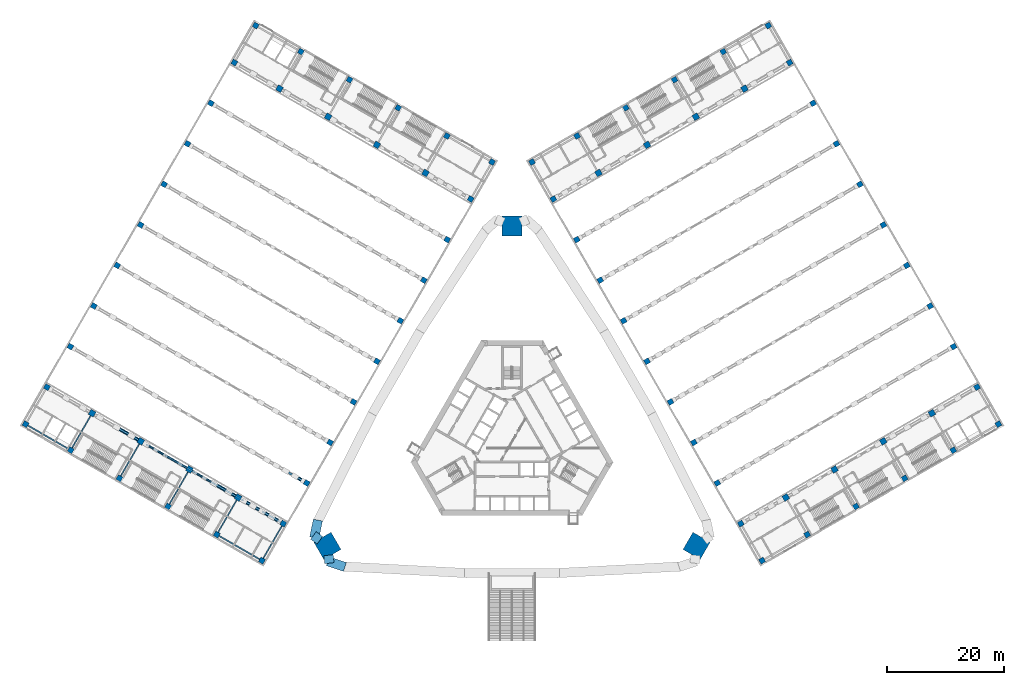
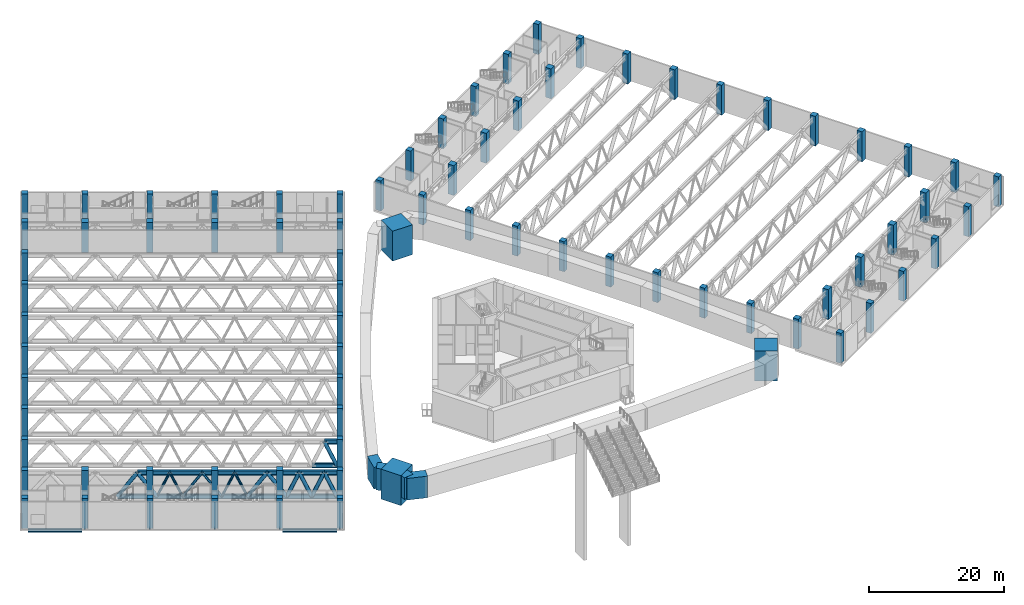
# One storey, part 1 of 37: 79 columns, 31 members, 11 beams.
"""IFC4 building model written with IfcOpenShell, lengths in metres."""

import ifcopenshell
import ifcopenshell.guid

model = None  # the IFC model being written
_history = None  # IfcOwnerHistory: only IFC2X3 demands one
_inside = {}  # id of a spatial element -> (the spatial element, [elements in it])
_under = {}  # id of a project, library or spatial element -> (it, [spatial elements below it])
_declared = {}  # id of a project -> (the project, [libraries it declares])
_typed = {}  # id of a type object -> (the type object, [elements of that type])
_made_of = {}  # id of a material, layer set ... -> (it, [elements and type objects made of it])


def new_model(schema):
    """Start an empty IFC model of exactly this schema.

    Asked for "IFC4X3", IfcOpenShell would pick the latest addendum, in which some entities
    have other attributes; the version numbers below select the first issue.
    IFC2X3 requires an IfcOwnerHistory on every rooted entity: one is made here for all.
    """
    global model, _history
    if schema == "IFC4X3":
        model = ifcopenshell.file(schema_version=(4, 3, 0, 0))
    else:
        model = ifcopenshell.file(schema=schema)
    _inside.clear()
    _under.clear()
    _declared.clear()
    _typed.clear()
    _made_of.clear()
    _history = None
    if model.schema == "IFC2X3":
        org = make("IfcOrganization", Name="unknown")
        user = make(
            "IfcPersonAndOrganization",
            ThePerson=make("IfcPerson", FamilyName="unknown"),
            TheOrganization=org,
        )
        app = make(
            "IfcApplication",
            ApplicationDeveloper=org,
            Version="unknown",
            ApplicationFullName="unknown",
            ApplicationIdentifier="unknown",
        )
        _history = make(
            "IfcOwnerHistory",
            OwningUser=user,
            OwningApplication=app,
            ChangeAction="ADDED",
            CreationDate=0,
        )
    return model


def make(cls, **values):
    """One entity of the class cls with the attributes given. An attribute that is None is left unset."""
    return model.create_entity(
        cls, **{name: value for name, value in values.items() if value is not None}
    )


def rooted(cls, **values):
    """An entity with a GlobalId (a new one), such as an element, a storey or a relation."""
    return make(cls, GlobalId=ifcopenshell.guid.new(), OwnerHistory=_history, **values)


def si_unit(unit_type, name, prefix=None):
    """IfcSIUnit, for example si_unit("LENGTHUNIT", "METRE", prefix="MILLI")."""
    return make("IfcSIUnit", UnitType=unit_type, Prefix=prefix, Name=name)


def assignment(units):
    """IfcUnitAssignment: the units of a project."""
    return None if units is None else make("IfcUnitAssignment", Units=units)


def point(xyz):
    """IfcCartesianPoint."""
    return None if xyz is None else make("IfcCartesianPoint", Coordinates=xyz)


def direction(xyz):
    """IfcDirection."""
    return None if xyz is None else make("IfcDirection", DirectionRatios=xyz)


def frame(location, z_axis=None, x_axis=None):
    """IfcAxis2Placement3D, a coordinate frame: its origin and axes. An axis left out is left unset."""
    return make(
        "IfcAxis2Placement3D",
        Location=point(location),
        Axis=direction(z_axis),
        RefDirection=direction(x_axis),
    )


def frame_2d(location, x_axis=None):
    """IfcAxis2Placement2D, a coordinate frame in the plane: its origin and x axis."""
    return make(
        "IfcAxis2Placement2D", Location=point(location), RefDirection=direction(x_axis)
    )


def origin():
    """The frame at (0, 0, 0) with its axes left unset."""
    return frame((0.0, 0.0, 0.0))


def origin_2d():
    """The frame at (0, 0) in the plane with its x axis left unset."""
    return frame_2d((0.0, 0.0))


def place(relative_to, where):
    """IfcLocalPlacement: puts the frame where relative to a parent placement (None: the world)."""
    return make(
        "IfcLocalPlacement", PlacementRelTo=relative_to, RelativePlacement=where
    )


def context(
    kind, dimensions, precision=None, world=None, true_north=None, identifier=None
):
    """IfcGeometricRepresentationContext, for example the 3D "Model" context."""
    return make(
        "IfcGeometricRepresentationContext",
        ContextIdentifier=identifier,
        ContextType=kind,
        CoordinateSpaceDimension=dimensions,
        Precision=precision,
        WorldCoordinateSystem=world,
        TrueNorth=true_north,
    )


def subcontext(parent, identifier, kind, view, scale=None):
    """IfcGeometricRepresentationSubContext, for example "Body" below "Model"."""
    return make(
        "IfcGeometricRepresentationSubContext",
        ContextIdentifier=identifier,
        ContextType=kind,
        ParentContext=parent,
        TargetScale=scale,
        TargetView=view,
    )


def project(units=None, contexts=None):
    """IfcProject with its units and contexts."""
    return rooted(
        "IfcProject",
        Name="project",
        RepresentationContexts=contexts,
        UnitsInContext=assignment(units),
    )


def spatial(cls, under=None, at=None, **own):
    """A site, building, storey or space (cls), placed at a placement, below another one or the project."""
    s = rooted(cls, ObjectPlacement=at, **own)
    if under is not None:
        _under.setdefault(under.id(), (under, []))[1].append(s)
    return s


def profile(cls, at=None, kind="AREA", **sizes):
    """A parametric profile (cls). Its sizes go by their IFC names, for example OverallWidth=200.0."""
    return make(cls, ProfileType=kind, Position=at, **sizes)


def rectangle(**sizes):
    """IfcRectangleProfileDef."""
    return profile("IfcRectangleProfileDef", **sizes)


def hollow_circle(**sizes):
    """IfcCircleHollowProfileDef."""
    return profile("IfcCircleHollowProfileDef", **sizes)


def i_section(**sizes):
    """IfcIShapeProfileDef."""
    return profile("IfcIShapeProfileDef", **sizes)


def extrude(swept, where, along, depth):
    """IfcExtrudedAreaSolid: the profile swept, set in the frame where, extruded along a direction by depth."""
    return make(
        "IfcExtrudedAreaSolid",
        SweptArea=swept,
        Position=where,
        ExtrudedDirection=direction(along),
        Depth=depth,
    )


def shape(context_of_items, identifier, shape_type, items):
    """IfcShapeRepresentation: the items that make up one representation, for example the "Body"."""
    return make(
        "IfcShapeRepresentation",
        ContextOfItems=context_of_items,
        RepresentationIdentifier=identifier,
        RepresentationType=shape_type,
        Items=items,
    )


def material(Name=None, Category=None):
    """IfcMaterial."""
    return make("IfcMaterial", Name=Name, Category=Category)


def material_profile(
    of_material, cross_section, Name=None, Category=None, Priority=None
):
    """IfcMaterialProfile: a cross section and its material."""
    return make(
        "IfcMaterialProfile",
        Name=Name,
        Material=of_material,
        Profile=cross_section,
        Priority=Priority,
        Category=Category,
    )


def profile_set(profiles, Name=None, composite=None):
    """IfcMaterialProfileSet."""
    return make(
        "IfcMaterialProfileSet",
        Name=Name,
        MaterialProfiles=profiles,
        CompositeProfile=composite,
    )


def made_of(thing, what):
    """Note that an element or type object is made of a material, layer set ...; save() writes the relation."""
    if what is not None:
        _made_of.setdefault(what.id(), (what, []))[1].append(thing)
    return thing


def type_object(cls, material=None, **own):
    """A type object (cls), such as IfcWallType, which elements share."""
    return made_of(rooted(cls, **own), material)


def element(
    cls,
    number,
    at=None,
    inside=None,
    cuts=None,
    type_object=None,
    material=None,
    context=None,
    identifier="Body",
    shape_type=None,
    held_by="IfcProductDefinitionShape",
    body=None,
    shapes=None,
    **own,
):
    """One element of the class cls, such as IfcWall. Its Tag is "e" and its number.

    at: its placement. inside: the storey or other place that contains it. cuts: it is an
    opening in that element (IfcRelVoidsElement). A single representation is given by context,
    identifier, shape_type and body (its items); several are given by shapes. held_by: the class
    of the entity that holds the representations. save() writes the other relations.
    """
    e = rooted(cls, Tag="e%d" % number, ObjectPlacement=at, **own)
    if body is not None:
        shapes = [shape(context, identifier, shape_type, body)]
    if shapes is not None:
        e.Representation = make(held_by, Representations=shapes)
    if inside is not None:
        _inside.setdefault(inside.id(), (inside, []))[1].append(e)
    if cuts is not None:
        rooted(
            "IfcRelVoidsElement", RelatingBuildingElement=cuts, RelatedOpeningElement=e
        )
    if type_object is not None:
        _typed.setdefault(type_object.id(), (type_object, []))[1].append(e)
    return made_of(e, material)


def aggregate(whole, parts):
    """IfcRelAggregates: a whole, such as a stair, and the parts it consists of."""
    return rooted("IfcRelAggregates", RelatingObject=whole, RelatedObjects=parts)


def save(model, path):
    """Write the relations noted so far, then the file.

    IfcRelAggregates (storeys below a building ...), IfcRelContainedInSpatialStructure (elements
    in a storey), IfcRelDefinesByType, IfcRelAssociatesMaterial and IfcRelDeclares: one each for
    every whole, place, type object, material and project.
    """
    for whole, parts in _under.values():
        aggregate(whole, parts)
    for where, things in _inside.values():
        rooted(
            "IfcRelContainedInSpatialStructure",
            RelatedElements=things,
            RelatingStructure=where,
        )
    for kind, things in _typed.values():
        rooted("IfcRelDefinesByType", RelatedObjects=things, RelatingType=kind)
    for what, things in _made_of.values():
        rooted("IfcRelAssociatesMaterial", RelatedObjects=things, RelatingMaterial=what)
    for by, libraries in _declared.values():
        rooted("IfcRelDeclares", RelatingContext=by, RelatedDefinitions=libraries)
    model.write(path)


model = new_model("IFC4")

# Units and contexts
model_context = context("Model", 3, precision=1e-05, world=origin(), true_north=direction((0.0, 1.0)))
body_context = subcontext(model_context, "Body", "Model", "MODEL_VIEW")
ifc_project = project(units=[si_unit("LENGTHUNIT", "METRE"), si_unit("AREAUNIT", "SQUARE_METRE"), si_unit("VOLUMEUNIT", "CUBIC_METRE"), si_unit("PLANEANGLEUNIT", "RADIAN"), si_unit("MASSUNIT", "GRAM", prefix="KILO")], contexts=[model_context])

# Site, building, storey
site_placement = place(None, origin())
site = spatial("IfcSite", under=ifc_project, at=site_placement, CompositionType="ELEMENT")
building_placement = place(site_placement, origin())
building = spatial("IfcBuilding", under=site, at=building_placement, Name="Mestral Congress Tower", CompositionType="ELEMENT")
storey_placement = place(building_placement, frame((0.0, 0.0, 16.199951171875)))
storey = spatial("IfcBuildingStorey", under=building, at=storey_placement, Name="L03", CompositionType="ELEMENT", Elevation=16.199951171875)

# Columns
ifc_material_1 = material(Name="Concrete C80/95", Category="concrete")
ifc_material_profile_1 = material_profile(ifc_material_1, rectangle(XDim=3.39990234375, YDim=3.39990234375, at=origin_2d()), Name="RC 3400x3400")
ifc_profile_set_1 = profile_set([ifc_material_profile_1], Name="Concrete C80/95")
column_type_1 = type_object("IfcColumnType", Name="Mega column RC 3400x3400 C80/95", PredefinedType="COLUMN", material=ifc_profile_set_1)
for number, where, z_axis, x_axis, name in (
    (1, (31.5224609375, -18.199462890625, 0.0), (0.0, 0.0, 1.0), (0.866025403784, -0.5, 0.0), "COL-L03-PY1-SE"),
    (2, (0.0, 36.39892578125, 0.0), (0.0, 0.0, 1.0), (0.0, 1.0, 0.0), "COL-L03-PY1-N"),
    (3, (-31.5224609375, -18.199462890625, 0.0), (0.0, 0.0, 1.0), (-0.866025403784, -0.5, 0.0), "COL-L03-PY1-SW"),
):
    element("IfcColumn", number, at=place(storey_placement, frame(where, z_axis=z_axis, x_axis=x_axis)), inside=storey, type_object=column_type_1, Name=name, PredefinedType="COLUMN", context=body_context, shape_type="SweptSolid", body=[
        extrude(rectangle(XDim=3.39990234375, YDim=3.39990234375, at=origin_2d()), origin(), (0.0, 0.0, 1.0), 5.400146484375),
    ])
ifc_material_2 = material(Name="Concrete C60/75", Category="concrete")
ifc_material_profile_2 = material_profile(ifc_material_2, rectangle(XDim=1.0, YDim=1.0, at=origin_2d()), Name="RC 1000x1000")
ifc_profile_set_2 = profile_set([ifc_material_profile_2], Name="Concrete C60/75")
column_type_2 = type_object("IfcColumnType", Name="Podium column RC 1000x1000 C60/75", PredefinedType="COLUMN", material=ifc_profile_set_2)
for number, where, z_axis, x_axis, name in (
    (4, (46.76806640625, -9.94873046875, 0.0), (0.0, 0.0, 1.0), (-0.5, 0.866025403784, 0.0), "COL-L03-PC-E-02B"),
    (5, (55.08203125, -5.148681640625, 0.0), (0.0, 0.0, 1.0), (-0.5, 0.866025403784, 0.0), "COL-L03-PC-E-02C"),
    (6, (63.395751953125, -0.348876953125, 0.0), (0.0, 0.0, 1.0), (-0.5, 0.866025403784, 0.0), "COL-L03-PC-E-02D"),
    (7, (71.709716796875, 4.451171875, 0.0), (0.0, 0.0, 1.0), (-0.5, 0.866025403784, 0.0), "COL-L03-PC-E-02E"),
    (8, (14.76806640625, 45.476806640625, 0.0), (0.0, 0.0, 1.0), (-0.5, 0.866025403784, 0.0), "COL-L03-PC-E-10B"),
    (9, (23.08203125, 50.27685546875, 0.0), (0.0, 0.0, 1.0), (-0.5, 0.866025403784, 0.0), "COL-L03-PC-E-10C"),
    (10, (31.395751953125, 55.076904296875, 0.0), (0.0, 0.0, 1.0), (-0.5, 0.866025403784, 0.0), "COL-L03-PC-E-10D"),
    (11, (39.709716796875, 59.876708984375, 0.0), (0.0, 0.0, 1.0), (-0.5, 0.866025403784, 0.0), "COL-L03-PC-E-10E"),
    (12, (-14.76806640625, 45.476806640625, 0.0), (0.0, 0.0, 1.0), (-0.5, -0.866025403784, 0.0), "COL-L03-PC-W-02B"),
    (13, (-23.08203125, 50.27685546875, 0.0), (0.0, 0.0, 1.0), (-0.5, -0.866025403784, 0.0), "COL-L03-PC-W-02C"),
    (14, (-31.395751953125, 55.076904296875, 0.0), (0.0, 0.0, 1.0), (-0.5, -0.866025403784, 0.0), "COL-L03-PC-W-02D"),
    (15, (-39.709716796875, 59.876708984375, 0.0), (0.0, 0.0, 1.0), (-0.5, -0.866025403784, 0.0), "COL-L03-PC-W-02E"),
    (16, (-46.76806640625, -9.94873046875, 0.0), (0.0, 0.0, 1.0), (-0.5, -0.866025403784, 0.0), "COL-L03-PC-W-10B"),
    (17, (-55.08203125, -5.148681640625, 0.0), (0.0, 0.0, 1.0), (-0.5, -0.866025403784, 0.0), "COL-L03-PC-W-10C"),
    (18, (-63.395751953125, -0.348876953125, 0.0), (0.0, 0.0, 1.0), (-0.5, -0.866025403784, 0.0), "COL-L03-PC-W-10D"),
    (19, (-71.709716796875, 4.451171875, 0.0), (0.0, 0.0, 1.0), (-0.5, -0.866025403784, 0.0), "COL-L03-PC-W-10E"),
):
    element("IfcColumn", number, at=place(storey_placement, frame(where, z_axis=z_axis, x_axis=x_axis)), inside=storey, type_object=column_type_2, Name=name, PredefinedType="COLUMN", context=body_context, shape_type="SweptSolid", body=[
        extrude(rectangle(XDim=1.0, YDim=1.0, at=origin_2d()), origin(), (0.0, 0.0, 1.0), 5.400146484375),
    ])
ifc_material_3 = material(Name="Concrete C50/60", Category="concrete")
ifc_material_profile_3 = material_profile(ifc_material_3, rectangle(XDim=0.89990234375, YDim=0.89990234375, at=origin_2d()), Name="RC 900x900")
ifc_profile_set_3 = profile_set([ifc_material_profile_3], Name="Concrete C50/60")
column_type_3 = type_object("IfcColumnType", Name="Podium column RC 900x900 C50/60", PredefinedType="COLUMN", material=ifc_profile_set_3)
for number, where, z_axis, x_axis, name in (
    (20, (42.71044921875, -20.720703125, 0.0), (0.0, 0.0, 1.0), (-0.5, 0.866025403784, 0.0), "COL-L03-PC-E-01A"),
    (21, (50.418212890625, -16.270751953125, 0.0), (0.0, 0.0, 1.0), (-0.5, 0.866025403784, 0.0), "COL-L03-PC-E-01B"),
    (22, (58.73193359375, -11.470703125, 0.0), (0.0, 0.0, 1.0), (-0.5, 0.866025403784, 0.0), "COL-L03-PC-E-01C"),
    (23, (67.0458984375, -6.6708984375, 0.0), (0.0, 0.0, 1.0), (-0.5, 0.866025403784, 0.0), "COL-L03-PC-E-01D"),
    (24, (75.359619140625, -1.870849609375, 0.0), (0.0, 0.0, 1.0), (-0.5, 0.866025403784, 0.0), "COL-L03-PC-E-01E"),
    (25, (83.0673828125, 2.5791015625, 0.0), (0.0, 0.0, 1.0), (-0.5, 0.866025403784, 0.0), "COL-L03-PC-E-01F"),
    (26, (39.060546875, -14.398681640625, 0.0), (0.0, 0.0, 1.0), (-0.5, 0.866025403784, 0.0), "COL-L03-PC-E-02A"),
    (27, (79.417236328125, 8.901123046875, 0.0), (0.0, 0.0, 1.0), (-0.5, 0.866025403784, 0.0), "COL-L03-PC-E-02F"),
    (28, (35.060546875, -7.470703125, 0.0), (0.0, 0.0, 1.0), (-0.5, 0.866025403784, 0.0), "COL-L03-PC-E-03A"),
    (29, (75.417236328125, 15.829345703125, 0.0), (0.0, 0.0, 1.0), (-0.5, 0.866025403784, 0.0), "COL-L03-PC-E-03F"),
    (30, (31.060546875, -0.54248046875, 0.0), (0.0, 0.0, 1.0), (-0.5, 0.866025403784, 0.0), "COL-L03-PC-E-04A"),
    (31, (71.417236328125, 22.757568359375, 0.0), (0.0, 0.0, 1.0), (-0.5, 0.866025403784, 0.0), "COL-L03-PC-E-04F"),
    (32, (27.060546875, 6.3857421875, 0.0), (0.0, 0.0, 1.0), (-0.5, 0.866025403784, 0.0), "COL-L03-PC-E-05A"),
    (33, (67.417236328125, 29.685791015625, 0.0), (0.0, 0.0, 1.0), (-0.5, 0.866025403784, 0.0), "COL-L03-PC-E-05F"),
    (34, (23.060546875, 13.31396484375, 0.0), (0.0, 0.0, 1.0), (-0.5, 0.866025403784, 0.0), "COL-L03-PC-E-06A"),
    (35, (63.417236328125, 36.614013671875, 0.0), (0.0, 0.0, 1.0), (-0.5, 0.866025403784, 0.0), "COL-L03-PC-E-06F"),
    (36, (19.060546875, 20.2421875, 0.0), (0.0, 0.0, 1.0), (-0.5, 0.866025403784, 0.0), "COL-L03-PC-E-07A"),
    (37, (59.417236328125, 43.542236328125, 0.0), (0.0, 0.0, 1.0), (-0.5, 0.866025403784, 0.0), "COL-L03-PC-E-07F"),
    (38, (15.060546875, 27.17041015625, 0.0), (0.0, 0.0, 1.0), (-0.5, 0.866025403784, 0.0), "COL-L03-PC-E-08A"),
    (39, (55.417236328125, 50.470458984375, 0.0), (0.0, 0.0, 1.0), (-0.5, 0.866025403784, 0.0), "COL-L03-PC-E-08F"),
    (40, (11.060546875, 34.0986328125, 0.0), (0.0, 0.0, 1.0), (-0.5, 0.866025403784, 0.0), "COL-L03-PC-E-09A"),
    (41, (51.417236328125, 57.398681640625, 0.0), (0.0, 0.0, 1.0), (-0.5, 0.866025403784, 0.0), "COL-L03-PC-E-09F"),
    (42, (7.060546875, 41.02685546875, 0.0), (0.0, 0.0, 1.0), (-0.5, 0.866025403784, 0.0), "COL-L03-PC-E-10A"),
    (43, (47.417236328125, 64.326904296875, 0.0), (0.0, 0.0, 1.0), (-0.5, 0.866025403784, 0.0), "COL-L03-PC-E-10F"),
    (44, (3.410400390625, 47.348876953125, 0.0), (0.0, 0.0, 1.0), (-0.5, 0.866025403784, 0.0), "COL-L03-PC-E-11A"),
    (45, (11.1181640625, 51.798828125, 0.0), (0.0, 0.0, 1.0), (-0.5, 0.866025403784, 0.0), "COL-L03-PC-E-11B"),
    (46, (19.431884765625, 56.598876953125, 0.0), (0.0, 0.0, 1.0), (-0.5, 0.866025403784, 0.0), "COL-L03-PC-E-11C"),
    (47, (27.745849609375, 61.398681640625, 0.0), (0.0, 0.0, 1.0), (-0.5, 0.866025403784, 0.0), "COL-L03-PC-E-11D"),
    (48, (36.059814453125, 66.19873046875, 0.0), (0.0, 0.0, 1.0), (-0.5, 0.866025403784, 0.0), "COL-L03-PC-E-11E"),
    (49, (43.767333984375, 70.648681640625, 0.0), (0.0, 0.0, 1.0), (-0.5, 0.866025403784, 0.0), "COL-L03-PC-E-11F"),
    (50, (-3.410400390625, 47.348876953125, 0.0), (0.0, 0.0, 1.0), (-0.5, -0.866025403784, 0.0), "COL-L03-PC-W-01A"),
    (51, (-11.1181640625, 51.798828125, 0.0), (0.0, 0.0, 1.0), (-0.5, -0.866025403784, 0.0), "COL-L03-PC-W-01B"),
    (52, (-19.431884765625, 56.598876953125, 0.0), (0.0, 0.0, 1.0), (-0.5, -0.866025403784, 0.0), "COL-L03-PC-W-01C"),
    (53, (-27.745849609375, 61.398681640625, 0.0), (0.0, 0.0, 1.0), (-0.5, -0.866025403784, 0.0), "COL-L03-PC-W-01D"),
    (54, (-36.059814453125, 66.19873046875, 0.0), (0.0, 0.0, 1.0), (-0.5, -0.866025403784, 0.0), "COL-L03-PC-W-01E"),
    (55, (-43.767333984375, 70.648681640625, 0.0), (0.0, 0.0, 1.0), (-0.5, -0.866025403784, 0.0), "COL-L03-PC-W-01F"),
    (56, (-7.060546875, 41.02685546875, 0.0), (0.0, 0.0, 1.0), (-0.5, -0.866025403784, 0.0), "COL-L03-PC-W-02A"),
    (57, (-47.417236328125, 64.326904296875, 0.0), (0.0, 0.0, 1.0), (-0.5, -0.866025403784, 0.0), "COL-L03-PC-W-02F"),
    (58, (-11.060546875, 34.0986328125, 0.0), (0.0, 0.0, 1.0), (-0.5, -0.866025403784, 0.0), "COL-L03-PC-W-03A"),
    (59, (-51.417236328125, 57.398681640625, 0.0), (0.0, 0.0, 1.0), (-0.5, -0.866025403784, 0.0), "COL-L03-PC-W-03F"),
    (60, (-15.060546875, 27.17041015625, 0.0), (0.0, 0.0, 1.0), (-0.5, -0.866025403784, 0.0), "COL-L03-PC-W-04A"),
    (61, (-55.417236328125, 50.470458984375, 0.0), (0.0, 0.0, 1.0), (-0.5, -0.866025403784, 0.0), "COL-L03-PC-W-04F"),
    (62, (-19.060546875, 20.2421875, 0.0), (0.0, 0.0, 1.0), (-0.5, -0.866025403784, 0.0), "COL-L03-PC-W-05A"),
    (63, (-59.417236328125, 43.542236328125, 0.0), (0.0, 0.0, 1.0), (-0.5, -0.866025403784, 0.0), "COL-L03-PC-W-05F"),
    (64, (-23.060546875, 13.31396484375, 0.0), (0.0, 0.0, 1.0), (-0.5, -0.866025403784, 0.0), "COL-L03-PC-W-06A"),
    (65, (-63.417236328125, 36.614013671875, 0.0), (0.0, 0.0, 1.0), (-0.5, -0.866025403784, 0.0), "COL-L03-PC-W-06F"),
    (66, (-27.060546875, 6.3857421875, 0.0), (0.0, 0.0, 1.0), (-0.5, -0.866025403784, 0.0), "COL-L03-PC-W-07A"),
    (67, (-67.417236328125, 29.685791015625, 0.0), (0.0, 0.0, 1.0), (-0.5, -0.866025403784, 0.0), "COL-L03-PC-W-07F"),
    (68, (-31.060546875, -0.54248046875, 0.0), (0.0, 0.0, 1.0), (-0.5, -0.866025403784, 0.0), "COL-L03-PC-W-08A"),
    (69, (-71.417236328125, 22.757568359375, 0.0), (0.0, 0.0, 1.0), (-0.5, -0.866025403784, 0.0), "COL-L03-PC-W-08F"),
    (70, (-35.060546875, -7.470703125, 0.0), (0.0, 0.0, 1.0), (-0.5, -0.866025403784, 0.0), "COL-L03-PC-W-09A"),
    (71, (-75.417236328125, 15.829345703125, 0.0), (0.0, 0.0, 1.0), (-0.5, -0.866025403784, 0.0), "COL-L03-PC-W-09F"),
    (72, (-39.060546875, -14.398681640625, 0.0), (0.0, 0.0, 1.0), (-0.5, -0.866025403784, 0.0), "COL-L03-PC-W-10A"),
    (73, (-79.417236328125, 8.901123046875, 0.0), (0.0, 0.0, 1.0), (-0.5, -0.866025403784, 0.0), "COL-L03-PC-W-10F"),
    (74, (-42.71044921875, -20.720703125, 0.0), (0.0, 0.0, 1.0), (-0.5, -0.866025403784, 0.0), "COL-L03-PC-W-11A"),
    (75, (-50.418212890625, -16.270751953125, 0.0), (0.0, 0.0, 1.0), (-0.5, -0.866025403784, 0.0), "COL-L03-PC-W-11B"),
    (76, (-58.73193359375, -11.470703125, 0.0), (0.0, 0.0, 1.0), (-0.5, -0.866025403784, 0.0), "COL-L03-PC-W-11C"),
    (77, (-67.0458984375, -6.6708984375, 0.0), (0.0, 0.0, 1.0), (-0.5, -0.866025403784, 0.0), "COL-L03-PC-W-11D"),
    (78, (-75.359619140625, -1.870849609375, 0.0), (0.0, 0.0, 1.0), (-0.5, -0.866025403784, 0.0), "COL-L03-PC-W-11E"),
    (79, (-83.0673828125, 2.5791015625, 0.0), (0.0, 0.0, 1.0), (-0.5, -0.866025403784, 0.0), "COL-L03-PC-W-11F"),
):
    element("IfcColumn", number, at=place(storey_placement, frame(where, z_axis=z_axis, x_axis=x_axis)), inside=storey, type_object=column_type_3, Name=name, PredefinedType="COLUMN", context=body_context, shape_type="SweptSolid", body=[
        extrude(rectangle(XDim=0.89990234375, YDim=0.89990234375, at=origin_2d()), origin(), (0.0, 0.0, 1.0), 5.400146484375),
    ])

# Beams
ifc_material_4 = material(Name="Steel S355", Category="steel")
ifc_material_profile_4 = material_profile(ifc_material_4, i_section(OverallWidth=0.199951171875, OverallDepth=0.5, WebThickness=0.01025390625, FlangeThickness=0.01611328125, FilletRadius=0.02099609375, at=origin_2d()), Name="IPE 500")
ifc_profile_set_4 = profile_set([ifc_material_profile_4], Name="Steel S355")
beam_type_1 = type_object("IfcBeamType", Name="Floor beam IPE 500 S355", PredefinedType="BEAM", material=ifc_profile_set_4)
beam_1_placement = place(storey_placement, frame((-39.285400390625, -14.78857421875, -0.550048828125), z_axis=(-0.500028443584, -0.866008981251, 0.0), x_axis=(0.866008981251, -0.500028443584, 0.0)))
element("IfcBeam", 80, at=beam_1_placement, inside=storey, type_object=beam_type_1, Name="BM-L03-W-U10A", PredefinedType="BEAM", context=body_context, shape_type="SweptSolid", body=[
    extrude(i_section(OverallWidth=0.199951171875, OverallDepth=0.5, WebThickness=0.01025390625, FlangeThickness=0.01611328125, FilletRadius=0.02099609375, at=origin_2d()), origin(), (0.0, 0.0, 1.0), 6.400146484375),
])
for number, where, z_axis, x_axis, name in (
    (81, (-47.01806640625, -10.3818359375, -0.550048828125), (-0.500005339912, -0.866022320763, 0.0), (0.866022320763, -0.500005339912, 0.0), "BM-L03-W-U10B"),
    (82, (-55.33203125, -5.581787109375, -0.550048828125), (-0.500005339912, -0.866022320763, 0.0), (0.866022320763, -0.500005339912, 0.0), "BM-L03-W-U10C"),
    (83, (-63.645751953125, -0.78173828125, -0.550048828125), (-0.500005339912, -0.866022320763, 0.0), (0.866022320763, -0.500005339912, 0.0), "BM-L03-W-U10D"),
):
    element("IfcBeam", number, at=place(storey_placement, frame(where, z_axis=z_axis, x_axis=x_axis)), inside=storey, type_object=beam_type_1, Name=name, PredefinedType="BEAM", context=body_context, shape_type="SweptSolid", body=[
        extrude(i_section(OverallWidth=0.199951171875, OverallDepth=0.5, WebThickness=0.01025390625, FlangeThickness=0.01611328125, FilletRadius=0.02099609375, at=origin_2d()), origin(), (0.0, 0.0, 1.0), 6.35009765625),
    ])
beam_2_placement = place(storey_placement, frame((-71.959716796875, 4.018310546875, -0.550048828125), z_axis=(-0.499988692146, -0.866031932279, 0.0), x_axis=(0.866031932279, -0.499988692146, 0.0)))
element("IfcBeam", 84, at=beam_2_placement, inside=storey, type_object=beam_type_1, Name="BM-L03-W-U10E", PredefinedType="BEAM", context=body_context, shape_type="SweptSolid", body=[
    extrude(i_section(OverallWidth=0.199951171875, OverallDepth=0.5, WebThickness=0.01025390625, FlangeThickness=0.01611328125, FilletRadius=0.02099609375, at=origin_2d()), origin(), (0.0, 0.0, 1.0), 6.350341796875),
])
ifc_material_profile_5 = material_profile(ifc_material_4, i_section(OverallWidth=0.219970703125, OverallDepth=0.60009765625, WebThickness=0.011962890625, FlangeThickness=0.01904296875, FilletRadius=0.02392578125, at=origin_2d()), Name="IPE 600")
ifc_profile_set_5 = profile_set([ifc_material_profile_5], Name="Steel S355")
beam_type_2 = type_object("IfcBeamType", Name="Floor beam IPE 600 S355", PredefinedType="BEAM", material=ifc_profile_set_5)
beam_3_placement = place(storey_placement, frame((-43.10009765625, -20.495849609375, -0.599853515625), z_axis=(-0.866026010844, 0.49999894854, 0.0), x_axis=(-0.49999894854, -0.866026010844, 0.0)))
element("IfcBeam", 85, at=beam_3_placement, inside=storey, type_object=beam_type_2, Name="BM-L03-W-V11A", PredefinedType="BEAM", context=body_context, shape_type="SweptSolid", body=[
    extrude(i_section(OverallWidth=0.219970703125, OverallDepth=0.60009765625, WebThickness=0.011962890625, FlangeThickness=0.01904296875, FilletRadius=0.02392578125, at=origin_2d()), origin(), (0.0, 0.0, 1.0), 8.0),
])
beam_4_placement = place(storey_placement, frame((-75.74951171875, -1.645751953125, -0.599853515625), z_axis=(-0.866018381195, 0.500012163284, 0.0), x_axis=(-0.500012163284, -0.866018381195, 0.0)))
element("IfcBeam", 86, at=beam_4_placement, inside=storey, type_object=beam_type_2, Name="BM-L03-W-V11E", PredefinedType="BEAM", context=body_context, shape_type="SweptSolid", body=[
    extrude(i_section(OverallWidth=0.219970703125, OverallDepth=0.60009765625, WebThickness=0.011962890625, FlangeThickness=0.01904296875, FilletRadius=0.02392578125, at=origin_2d()), origin(), (0.0, 0.0, 1.0), 7.999755859375),
])
ifc_material_5 = material(Name="Concrete C70/85", Category="concrete")
ifc_material_profile_6 = material_profile(ifc_material_5, rectangle(XDim=1.60009765625, YDim=3.89990234375, at=origin_2d()), Name="RC 1600x3900")
ifc_profile_set_6 = profile_set([ifc_material_profile_6], Name="Concrete C70/85")
beam_type_3 = type_object("IfcBeamType", Name="Transfer girder RC 1600x3900 C70/85", PredefinedType="BEAM", material=ifc_profile_set_6)
beam_5_placement = place(storey_placement, frame((-33.1533203125, -13.802490234375, 3.449951171875), z_axis=(-0.198083701542, -0.980185108632, 0.0), x_axis=(0.980185108632, -0.198083701542, 0.0)))
element("IfcBeam", 87, at=beam_5_placement, inside=storey, type_object=beam_type_3, Name="BM-TG18", PredefinedType="BEAM", context=body_context, shape_type="SweptSolid", body=[
    extrude(rectangle(XDim=1.60009765625, YDim=3.89990234375, at=origin_2d()), origin(), (0.0, 0.0, 1.0), 3.07763671875),
])
for number, where, z_axis, x_axis, name in (
    (88, (-33.914306640625, -16.425048828125, 3.449951171875), (0.803204875013, -0.595702886308, 0.0), (0.595702886308, 0.803204875013, 0.0), "BM-TG19"),
    (89, (-31.339111328125, -19.791748046875, 3.449951171875), (0.114482631088, -0.99342524992, 0.0), (0.99342524992, 0.114482631088, 0.0), "BM-TG20"),
):
    element("IfcBeam", number, at=place(storey_placement, frame(where, z_axis=z_axis, x_axis=x_axis)), inside=storey, type_object=beam_type_3, Name=name, PredefinedType="BEAM", context=body_context, shape_type="SweptSolid", body=[
        extrude(rectangle(XDim=1.60009765625, YDim=3.89990234375, at=origin_2d()), origin(), (0.0, 0.0, 1.0), 1.37548828125),
    ])
beam_6_placement = place(storey_placement, frame((-31.447265625, -20.830078125, 3.449951171875), z_axis=(0.947927022175, -0.318487614563, 0.0), x_axis=(0.318487614563, 0.947927022175, 0.0)))
element("IfcBeam", 90, at=beam_6_placement, inside=storey, type_object=beam_type_3, Name="BM-TG21", PredefinedType="BEAM", context=body_context, shape_type="SweptSolid", body=[
    extrude(rectangle(XDim=1.60009765625, YDim=3.89990234375, at=origin_2d()), origin(), (0.0, 0.0, 1.0), 3.07763671875),
])

# Members
ifc_material_profile_7 = material_profile(ifc_material_4, i_section(OverallWidth=0.300048828125, OverallDepth=0.800048828125, WebThickness=0.017578125, FlangeThickness=0.032958984375, FilletRadius=0.030029296875, at=origin_2d()), Name="HEB 800")
ifc_profile_set_7 = profile_set([ifc_material_profile_7], Name="Steel S355")
member_type_1 = type_object("IfcMemberType", Name="Truss chord HEB 800 S355", PredefinedType="CHORD", material=ifc_profile_set_7)
member_1_placement = place(storey_placement, frame((-35.4501953125, -7.24560546875, 0.400146484375), z_axis=(-0.86601746898, 0.500013743233, 0.0), x_axis=(-0.500013743233, -0.86601746898, 0.0)))
element("IfcMember", 91, at=member_1_placement, inside=storey, type_object=member_type_1, Name="MB-W-T8-BC01", PredefinedType="CHORD", context=body_context, shape_type="SweptSolid", body=[
    extrude(i_section(OverallWidth=0.300048828125, OverallDepth=0.800048828125, WebThickness=0.017578125, FlangeThickness=0.032958984375, FilletRadius=0.030029296875, at=origin_2d()), origin(), (0.0, 0.0, 1.0), 3.7001953125),
])
member_2_placement = place(storey_placement, frame((-35.4501953125, -7.24560546875, 4.699951171875), z_axis=(-0.866033964044, 0.499985172903, 0.0), x_axis=(-0.499985172903, -0.866033964044, 0.0)))
element("IfcMember", 92, at=member_2_placement, inside=storey, type_object=member_type_1, Name="MB-W-T8-TC01", PredefinedType="CHORD", context=body_context, shape_type="SweptSolid", body=[
    extrude(i_section(OverallWidth=0.300048828125, OverallDepth=0.800048828125, WebThickness=0.017578125, FlangeThickness=0.032958984375, FilletRadius=0.030029296875, at=origin_2d()), origin(), (0.0, 0.0, 1.0), 1.85009765625),
])
member_3_placement = place(storey_placement, frame((-39.4501953125, -14.173828125, 0.400146484375), z_axis=(-0.86601746898, 0.500013743233, 0.0), x_axis=(-0.500013743233, -0.86601746898, 0.0)))
element("IfcMember", 93, at=member_3_placement, inside=storey, type_object=member_type_1, Name="MB-W-T9-BC01", PredefinedType="CHORD", context=body_context, shape_type="SweptSolid", body=[
    extrude(i_section(OverallWidth=0.300048828125, OverallDepth=0.800048828125, WebThickness=0.017578125, FlangeThickness=0.032958984375, FilletRadius=0.030029296875, at=origin_2d()), origin(), (0.0, 0.0, 1.0), 3.7001953125),
])
member_4_placement = place(storey_placement, frame((-42.654541015625, -12.32373046875, 0.400146484375), z_axis=(-0.866046040199, 0.499964254978, 0.0), x_axis=(-0.499964254978, -0.866046040199, 0.0)))
element("IfcMember", 94, at=member_4_placement, inside=storey, type_object=member_type_1, Name="MB-W-T9-BC02", PredefinedType="CHORD", context=body_context, shape_type="SweptSolid", body=[
    extrude(i_section(OverallWidth=0.300048828125, OverallDepth=0.800048828125, WebThickness=0.017578125, FlangeThickness=0.032958984375, FilletRadius=0.030029296875, at=origin_2d()), origin(), (0.0, 0.0, 1.0), 3.699951171875),
])
member_5_placement = place(storey_placement, frame((-45.85888671875, -10.473876953125, 0.400146484375), z_axis=(-0.86601454848, 0.500018801468, 0.0), x_axis=(-0.500018801468, -0.86601454848, 0.0)))
element("IfcMember", 95, at=member_5_placement, inside=storey, type_object=member_type_1, Name="MB-W-T9-BC03", PredefinedType="CHORD", context=body_context, shape_type="SweptSolid", body=[
    extrude(i_section(OverallWidth=0.300048828125, OverallDepth=0.800048828125, WebThickness=0.017578125, FlangeThickness=0.032958984375, FilletRadius=0.030029296875, at=origin_2d()), origin(), (0.0, 0.0, 1.0), 5.800048828125),
])
member_6_placement = place(storey_placement, frame((-50.8818359375, -7.57373046875, 0.400146484375), z_axis=(-0.866028304915, 0.499994975061, 0.0), x_axis=(-0.499994975061, -0.866028304915, 0.0)))
element("IfcMember", 96, at=member_6_placement, inside=storey, type_object=member_type_1, Name="MB-W-T9-BC04", PredefinedType="CHORD", context=body_context, shape_type="SweptSolid", body=[
    extrude(i_section(OverallWidth=0.300048828125, OverallDepth=0.800048828125, WebThickness=0.017578125, FlangeThickness=0.032958984375, FilletRadius=0.030029296875, at=origin_2d()), origin(), (0.0, 0.0, 1.0), 3.7998046875),
])
member_7_placement = place(storey_placement, frame((-54.172607421875, -5.673828125, 0.400146484375), z_axis=(-0.86601454848, 0.500018801468, 0.0), x_axis=(-0.500018801468, -0.86601454848, 0.0)))
element("IfcMember", 97, at=member_7_placement, inside=storey, type_object=member_type_1, Name="MB-W-T9-BC05", PredefinedType="CHORD", context=body_context, shape_type="SweptSolid", body=[
    extrude(i_section(OverallWidth=0.300048828125, OverallDepth=0.800048828125, WebThickness=0.017578125, FlangeThickness=0.032958984375, FilletRadius=0.030029296875, at=origin_2d()), origin(), (0.0, 0.0, 1.0), 5.800048828125),
])
member_8_placement = place(storey_placement, frame((-59.195556640625, -2.773681640625, 0.400146484375), z_axis=(-0.866044365799, 0.499967155389, 0.0), x_axis=(-0.499967155389, -0.866044365799, 0.0)))
element("IfcMember", 98, at=member_8_placement, inside=storey, type_object=member_type_1, Name="MB-W-T9-BC06", PredefinedType="CHORD", context=body_context, shape_type="SweptSolid", body=[
    extrude(i_section(OverallWidth=0.300048828125, OverallDepth=0.800048828125, WebThickness=0.017578125, FlangeThickness=0.032958984375, FilletRadius=0.030029296875, at=origin_2d()), origin(), (0.0, 0.0, 1.0), 3.800048828125),
])
member_9_placement = place(storey_placement, frame((-62.486572265625, -0.873779296875, 0.400146484375), z_axis=(-0.866032775405, 0.499987231761, 0.0), x_axis=(-0.499987231761, -0.866032775405, 0.0)))
element("IfcMember", 99, at=member_9_placement, inside=storey, type_object=member_type_1, Name="MB-W-T9-BC07", PredefinedType="CHORD", context=body_context, shape_type="SweptSolid", body=[
    extrude(i_section(OverallWidth=0.300048828125, OverallDepth=0.800048828125, WebThickness=0.017578125, FlangeThickness=0.032958984375, FilletRadius=0.030029296875, at=origin_2d()), origin(), (0.0, 0.0, 1.0), 5.800048828125),
])
member_10_placement = place(storey_placement, frame((-39.4501953125, -14.173828125, 4.699951171875), z_axis=(-0.866033964044, 0.499985172903, 0.0), x_axis=(-0.499985172903, -0.866033964044, 0.0)))
element("IfcMember", 100, at=member_10_placement, inside=storey, type_object=member_type_1, Name="MB-W-T9-TC01", PredefinedType="CHORD", context=body_context, shape_type="SweptSolid", body=[
    extrude(i_section(OverallWidth=0.300048828125, OverallDepth=0.800048828125, WebThickness=0.017578125, FlangeThickness=0.032958984375, FilletRadius=0.030029296875, at=origin_2d()), origin(), (0.0, 0.0, 1.0), 1.85009765625),
])
member_11_placement = place(storey_placement, frame((-41.052490234375, -13.248779296875, 4.699951171875), z_axis=(-0.866000971088, 0.500042316284, 0.0), x_axis=(-0.500042316284, -0.866000971088, 0.0)))
element("IfcMember", 101, at=member_11_placement, inside=storey, type_object=member_type_1, Name="MB-W-T9-TC02", PredefinedType="CHORD", context=body_context, shape_type="SweptSolid", body=[
    extrude(i_section(OverallWidth=0.300048828125, OverallDepth=0.800048828125, WebThickness=0.017578125, FlangeThickness=0.032958984375, FilletRadius=0.030029296875, at=origin_2d()), origin(), (0.0, 0.0, 1.0), 3.699951171875),
])
member_12_placement = place(storey_placement, frame((-44.256591796875, -11.398681640625, 4.699951171875), z_axis=(-0.866033238375, 0.499986429846, 0.0), x_axis=(-0.499986429846, -0.866033238375, 0.0)))
element("IfcMember", 102, at=member_12_placement, inside=storey, type_object=member_type_1, Name="MB-W-T9-TC03", PredefinedType="CHORD", context=body_context, shape_type="SweptSolid", body=[
    extrude(i_section(OverallWidth=0.300048828125, OverallDepth=0.800048828125, WebThickness=0.017578125, FlangeThickness=0.032958984375, FilletRadius=0.030029296875, at=origin_2d()), origin(), (0.0, 0.0, 1.0), 4.750244140625),
])
member_13_placement = place(storey_placement, frame((-48.370361328125, -9.023681640625, 4.699951171875), z_axis=(-0.866024647952, 0.500001309137, 0.0), x_axis=(-0.500001309137, -0.866024647952, 0.0)))
element("IfcMember", 103, at=member_13_placement, inside=storey, type_object=member_type_1, Name="MB-W-T9-TC04", PredefinedType="CHORD", context=body_context, shape_type="SweptSolid", body=[
    extrude(i_section(OverallWidth=0.300048828125, OverallDepth=0.800048828125, WebThickness=0.017578125, FlangeThickness=0.032958984375, FilletRadius=0.030029296875, at=origin_2d()), origin(), (0.0, 0.0, 1.0), 4.7998046875),
])
for number, where, z_axis, x_axis, name in (
    (104, (-52.527099609375, -6.623779296875, 4.699951171875), (-0.866037363387, 0.499979284789, 0.0), (-0.499979284789, -0.866037363387, 0.0), "MB-W-T9-TC05"),
    (105, (-56.68408203125, -4.223876953125, 4.699951171875), (-0.866015339567, 0.500017431331, 0.0), (-0.500017431331, -0.866015339567, 0.0), "MB-W-T9-TC06"),
    (106, (-60.841064453125, -1.82373046875, 4.699951171875), (-0.866037363387, 0.499979284789, 0.0), (-0.499979284789, -0.866037363387, 0.0), "MB-W-T9-TC07"),
):
    element("IfcMember", number, at=place(storey_placement, frame(where, z_axis=z_axis, x_axis=x_axis)), inside=storey, type_object=member_type_1, Name=name, PredefinedType="CHORD", context=body_context, shape_type="SweptSolid", body=[
        extrude(i_section(OverallWidth=0.300048828125, OverallDepth=0.800048828125, WebThickness=0.017578125, FlangeThickness=0.032958984375, FilletRadius=0.030029296875, at=origin_2d()), origin(), (0.0, 0.0, 1.0), 4.800048828125),
    ])
ifc_material_profile_8 = material_profile(ifc_material_4, hollow_circle(Radius=0.203125, WallThickness=0.01611328125, at=origin_2d()), Name="CHS 406.4x16")
ifc_profile_set_8 = profile_set([ifc_material_profile_8], Name="Steel S355")
member_type_2 = type_object("IfcMemberType", Name="Truss diagonal CHS 406.4x16 S355", PredefinedType="BRACE", material=ifc_profile_set_8)
for number, where, z_axis, x_axis, name in (
    (107, (-50.8818359375, -7.57373046875, 0.400146484375), (-0.349995738631, 0.20208241861, 0.914694309061), (-0.500022797313, -0.86601224135, 0.0), "MB-W-T9-D07"),
    (108, (-52.527099609375, -6.623779296875, 4.699951171875), (-0.350041311257, 0.202078745119, -0.914677681582), (-0.499967155389, -0.866044365799, 0.0), "MB-W-T9-D08"),
):
    element("IfcMember", number, at=place(storey_placement, frame(where, z_axis=z_axis, x_axis=x_axis)), inside=storey, type_object=member_type_2, Name=name, PredefinedType="BRACE", context=body_context, shape_type="SweptSolid", body=[
        extrude(hollow_circle(Radius=0.203125, WallThickness=0.01611328125, at=origin_2d()), origin(), (0.0, 0.0, 1.0), 4.700927734375),
    ])
member_14_placement = place(storey_placement, frame((-54.172607421875, -5.673828125, 0.400146484375), z_axis=(-0.484247420666, 0.279570859467, 0.829062464544), x_axis=(-0.499987231761, -0.866032775405, 0.0)))
element("IfcMember", 109, at=member_14_placement, inside=storey, type_object=member_type_2, Name="MB-W-T9-D09", PredefinedType="BRACE", context=body_context, shape_type="SweptSolid", body=[
    extrude(hollow_circle(Radius=0.203125, WallThickness=0.01611328125, at=origin_2d()), origin(), (0.0, 0.0, 1.0), 5.186279296875),
])
member_15_placement = place(storey_placement, frame((-56.68408203125, -4.223876953125, 4.699951171875), z_axis=(-0.484241047345, 0.27961425306, -0.829051553012), x_axis=(-0.50005036918, -0.865996321171, 0.0)))
element("IfcMember", 110, at=member_15_placement, inside=storey, type_object=member_type_2, Name="MB-W-T9-D10", PredefinedType="BRACE", context=body_context, shape_type="SweptSolid", body=[
    extrude(hollow_circle(Radius=0.203125, WallThickness=0.01611328125, at=origin_2d()), origin(), (0.0, 0.0, 1.0), 5.1865234375),
])
for number, where, z_axis, x_axis, name in (
    (111, (-59.195556640625, -2.773681640625, 0.400146484375), (-0.350041311257, 0.202078745119, 0.914677681582), (-0.499967155389, -0.866044365799, 0.0), "MB-W-T9-D11"),
    (112, (-60.841064453125, -1.82373046875, 4.699951171875), (-0.350041311257, 0.202078745119, -0.914677681582), (-0.499967155389, -0.866044365799, 0.0), "MB-W-T9-D12"),
):
    element("IfcMember", number, at=place(storey_placement, frame(where, z_axis=z_axis, x_axis=x_axis)), inside=storey, type_object=member_type_2, Name=name, PredefinedType="BRACE", context=body_context, shape_type="SweptSolid", body=[
        extrude(hollow_circle(Radius=0.203125, WallThickness=0.01611328125, at=origin_2d()), origin(), (0.0, 0.0, 1.0), 4.700927734375),
    ])
ifc_material_profile_9 = material_profile(ifc_material_4, hollow_circle(Radius=0.304931640625, WallThickness=0.02490234375, at=origin_2d()), Name="CHS 610x25")
ifc_profile_set_9 = profile_set([ifc_material_profile_9], Name="Steel S355")
member_type_3 = type_object("IfcMemberType", Name="Truss diagonal CHS 610x25 S355", PredefinedType="BRACE", material=ifc_profile_set_9)
for number, where, z_axis, x_axis, name in (
    (113, (-35.4501953125, -7.24560546875, 0.400146484375), (-0.342300508531, 0.197619476889, 0.918573298226), (-0.499985172903, -0.866033964044, 0.0), "MB-W-T8-D01"),
    (114, (-39.4501953125, -14.173828125, 0.400146484375), (-0.342300508531, 0.197619476889, 0.918573298226), (-0.499985172903, -0.866033964044, 0.0), "MB-W-T9-D01"),
    (115, (-41.052490234375, -13.248779296875, 4.699951171875), (-0.342254462306, 0.197623004828, -0.91858969676), (-0.500042316284, -0.866000971088, 0.0), "MB-W-T9-D02"),
    (116, (-42.654541015625, -12.32373046875, 0.400146484375), (-0.342254462306, 0.197623004828, 0.91858969676), (-0.500042316284, -0.866000971088, 0.0), "MB-W-T9-D03"),
    (117, (-44.256591796875, -11.398681640625, 4.699951171875), (-0.342304036233, 0.197569356887, -0.918582764914), (-0.499886193382, -0.866091100096, 0.0), "MB-W-T9-D04"),
):
    element("IfcMember", number, at=place(storey_placement, frame(where, z_axis=z_axis, x_axis=x_axis)), inside=storey, type_object=member_type_3, Name=name, PredefinedType="BRACE", context=body_context, shape_type="SweptSolid", body=[
        extrude(hollow_circle(Radius=0.304931640625, WallThickness=0.02490234375, at=origin_2d()), origin(), (0.0, 0.0, 1.0), 4.680908203125),
    ])
member_16_placement = place(storey_placement, frame((-45.85888671875, -10.473876953125, 0.400146484375), z_axis=(-0.484241047345, 0.27961425306, 0.829051553012), x_axis=(-0.50005036918, -0.865996321171, 0.0)))
element("IfcMember", 118, at=member_16_placement, inside=storey, type_object=member_type_3, Name="MB-W-T9-D05", PredefinedType="BRACE", context=body_context, shape_type="SweptSolid", body=[
    extrude(hollow_circle(Radius=0.304931640625, WallThickness=0.02490234375, at=origin_2d()), origin(), (0.0, 0.0, 1.0), 5.1865234375),
])
for number, where, z_axis, x_axis, name in (
    (119, (-48.370361328125, -9.023681640625, 4.699951171875), (-0.484247420666, 0.279570859467, -0.829062464544), (-0.499987231761, -0.866032775405, 0.0), "MB-W-T9-D06"),
    (120, (-62.486572265625, -0.873779296875, 0.400146484375), (-0.484247420666, 0.279570859467, 0.829062464544), (-0.499987231761, -0.866032775405, 0.0), "MB-W-T9-D13"),
    (121, (-64.998046875, 0.576171875, 4.699951171875), (-0.484247420666, 0.279570859467, -0.829062464544), (-0.499987231761, -0.866032775405, 0.0), "MB-W-T9-D14"),
):
    element("IfcMember", number, at=place(storey_placement, frame(where, z_axis=z_axis, x_axis=x_axis)), inside=storey, type_object=member_type_3, Name=name, PredefinedType="BRACE", context=body_context, shape_type="SweptSolid", body=[
        extrude(hollow_circle(Radius=0.304931640625, WallThickness=0.02490234375, at=origin_2d()), origin(), (0.0, 0.0, 1.0), 5.186279296875),
    ])

save(model, "model.ifc")
